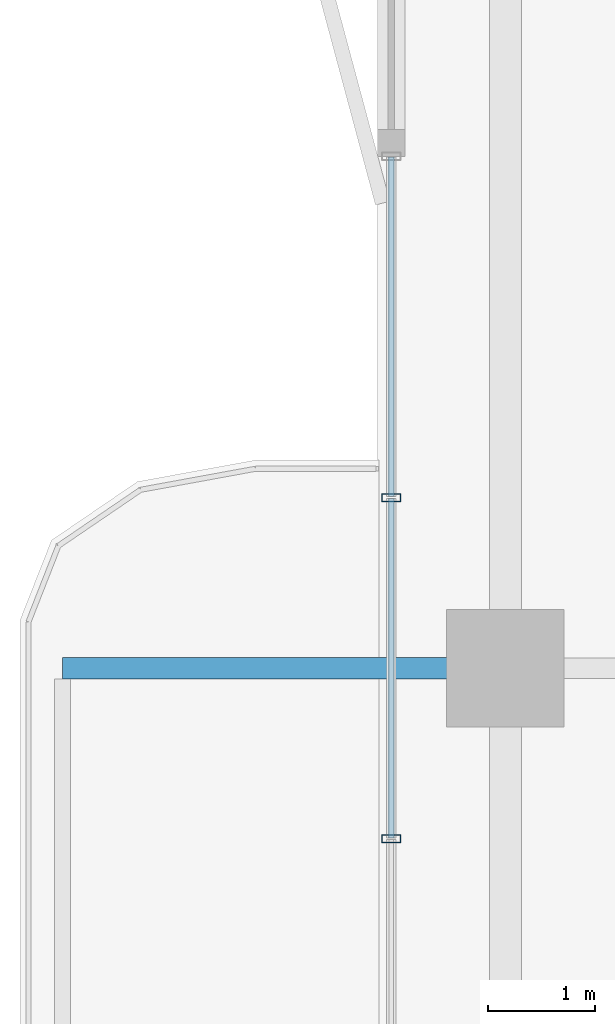
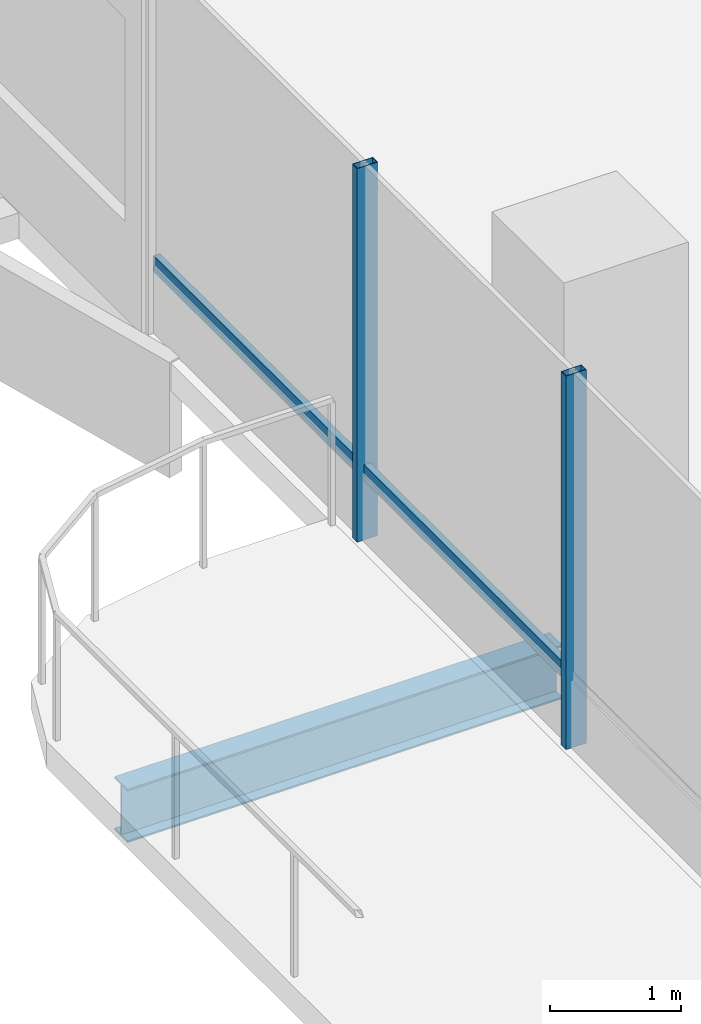
# One storey, part 6 of 23: 4 members, 1 beam, 1 element without a shape of its own.
"""IFC4 building model written with IfcOpenShell, lengths in metres."""

import ifcopenshell
import ifcopenshell.guid

model = None  # the IFC model being written
_history = None  # IfcOwnerHistory: only IFC2X3 demands one
_inside = {}  # id of a spatial element -> (the spatial element, [elements in it])
_under = {}  # id of a project, library or spatial element -> (it, [spatial elements below it])
_declared = {}  # id of a project -> (the project, [libraries it declares])
_typed = {}  # id of a type object -> (the type object, [elements of that type])
_made_of = {}  # id of a material, layer set ... -> (it, [elements and type objects made of it])


def new_model(schema):
    """Start an empty IFC model of exactly this schema.

    Asked for "IFC4X3", IfcOpenShell would pick the latest addendum, in which some entities
    have other attributes; the version numbers below select the first issue.
    IFC2X3 requires an IfcOwnerHistory on every rooted entity: one is made here for all.
    """
    global model, _history
    if schema == "IFC4X3":
        model = ifcopenshell.file(schema_version=(4, 3, 0, 0))
    else:
        model = ifcopenshell.file(schema=schema)
    _inside.clear()
    _under.clear()
    _declared.clear()
    _typed.clear()
    _made_of.clear()
    _history = None
    if model.schema == "IFC2X3":
        org = make("IfcOrganization", Name="unknown")
        user = make(
            "IfcPersonAndOrganization",
            ThePerson=make("IfcPerson", FamilyName="unknown"),
            TheOrganization=org,
        )
        app = make(
            "IfcApplication",
            ApplicationDeveloper=org,
            Version="unknown",
            ApplicationFullName="unknown",
            ApplicationIdentifier="unknown",
        )
        _history = make(
            "IfcOwnerHistory",
            OwningUser=user,
            OwningApplication=app,
            ChangeAction="ADDED",
            CreationDate=0,
        )
    return model


def make(cls, **values):
    """One entity of the class cls with the attributes given. An attribute that is None is left unset."""
    return model.create_entity(
        cls, **{name: value for name, value in values.items() if value is not None}
    )


def rooted(cls, **values):
    """An entity with a GlobalId (a new one), such as an element, a storey or a relation."""
    return make(cls, GlobalId=ifcopenshell.guid.new(), OwnerHistory=_history, **values)


def si_unit(unit_type, name, prefix=None):
    """IfcSIUnit, for example si_unit("LENGTHUNIT", "METRE", prefix="MILLI")."""
    return make("IfcSIUnit", UnitType=unit_type, Prefix=prefix, Name=name)


def assignment(units):
    """IfcUnitAssignment: the units of a project."""
    return None if units is None else make("IfcUnitAssignment", Units=units)


def point(xyz):
    """IfcCartesianPoint."""
    return None if xyz is None else make("IfcCartesianPoint", Coordinates=xyz)


def direction(xyz):
    """IfcDirection."""
    return None if xyz is None else make("IfcDirection", DirectionRatios=xyz)


def frame(location, z_axis=None, x_axis=None):
    """IfcAxis2Placement3D, a coordinate frame: its origin and axes. An axis left out is left unset."""
    return make(
        "IfcAxis2Placement3D",
        Location=point(location),
        Axis=direction(z_axis),
        RefDirection=direction(x_axis),
    )


def frame_2d(location, x_axis=None):
    """IfcAxis2Placement2D, a coordinate frame in the plane: its origin and x axis."""
    return make(
        "IfcAxis2Placement2D", Location=point(location), RefDirection=direction(x_axis)
    )


def origin():
    """The frame at (0, 0, 0) with its axes left unset."""
    return frame((0.0, 0.0, 0.0))


def origin_2d():
    """The frame at (0, 0) in the plane with its x axis left unset."""
    return frame_2d((0.0, 0.0))


def place(relative_to, where):
    """IfcLocalPlacement: puts the frame where relative to a parent placement (None: the world)."""
    return make(
        "IfcLocalPlacement", PlacementRelTo=relative_to, RelativePlacement=where
    )


def context(
    kind, dimensions, precision=None, world=None, true_north=None, identifier=None
):
    """IfcGeometricRepresentationContext, for example the 3D "Model" context."""
    return make(
        "IfcGeometricRepresentationContext",
        ContextIdentifier=identifier,
        ContextType=kind,
        CoordinateSpaceDimension=dimensions,
        Precision=precision,
        WorldCoordinateSystem=world,
        TrueNorth=true_north,
    )


def subcontext(parent, identifier, kind, view, scale=None):
    """IfcGeometricRepresentationSubContext, for example "Body" below "Model"."""
    return make(
        "IfcGeometricRepresentationSubContext",
        ContextIdentifier=identifier,
        ContextType=kind,
        ParentContext=parent,
        TargetScale=scale,
        TargetView=view,
    )


def project(units=None, contexts=None):
    """IfcProject with its units and contexts."""
    return rooted(
        "IfcProject",
        Name="project",
        RepresentationContexts=contexts,
        UnitsInContext=assignment(units),
    )


def spatial(cls, under=None, at=None, **own):
    """A site, building, storey or space (cls), placed at a placement, below another one or the project."""
    s = rooted(cls, ObjectPlacement=at, **own)
    if under is not None:
        _under.setdefault(under.id(), (under, []))[1].append(s)
    return s


def profile(cls, at=None, kind="AREA", **sizes):
    """A parametric profile (cls). Its sizes go by their IFC names, for example OverallWidth=200.0."""
    return make(cls, ProfileType=kind, Position=at, **sizes)


def hollow_rectangle(**sizes):
    """IfcRectangleHollowProfileDef."""
    return profile("IfcRectangleHollowProfileDef", **sizes)


def i_section(**sizes):
    """IfcIShapeProfileDef."""
    return profile("IfcIShapeProfileDef", **sizes)


def extrude(swept, where, along, depth):
    """IfcExtrudedAreaSolid: the profile swept, set in the frame where, extruded along a direction by depth."""
    return make(
        "IfcExtrudedAreaSolid",
        SweptArea=swept,
        Position=where,
        ExtrudedDirection=direction(along),
        Depth=depth,
    )


def shape(context_of_items, identifier, shape_type, items):
    """IfcShapeRepresentation: the items that make up one representation, for example the "Body"."""
    return make(
        "IfcShapeRepresentation",
        ContextOfItems=context_of_items,
        RepresentationIdentifier=identifier,
        RepresentationType=shape_type,
        Items=items,
    )


def material(Name=None, Category=None):
    """IfcMaterial."""
    return make("IfcMaterial", Name=Name, Category=Category)


def layer(
    of_material, thickness, ventilated=None, Name=None, Category=None, Priority=None
):
    """IfcMaterialLayer: one layer of a wall or slab, of a material (None: an air gap)."""
    return make(
        "IfcMaterialLayer",
        Material=of_material,
        LayerThickness=thickness,
        IsVentilated=ventilated,
        Name=Name,
        Category=Category,
        Priority=Priority,
    )


def layer_set(layers, Name=None):
    """IfcMaterialLayerSet."""
    return make("IfcMaterialLayerSet", MaterialLayers=layers, LayerSetName=Name)


def material_profile(
    of_material, cross_section, Name=None, Category=None, Priority=None
):
    """IfcMaterialProfile: a cross section and its material."""
    return make(
        "IfcMaterialProfile",
        Name=Name,
        Material=of_material,
        Profile=cross_section,
        Priority=Priority,
        Category=Category,
    )


def profile_set(profiles, Name=None, composite=None):
    """IfcMaterialProfileSet."""
    return make(
        "IfcMaterialProfileSet",
        Name=Name,
        MaterialProfiles=profiles,
        CompositeProfile=composite,
    )


def made_of(thing, what):
    """Note that an element or type object is made of a material, layer set ...; save() writes the relation."""
    if what is not None:
        _made_of.setdefault(what.id(), (what, []))[1].append(thing)
    return thing


def type_object(cls, material=None, **own):
    """A type object (cls), such as IfcWallType, which elements share."""
    return made_of(rooted(cls, **own), material)


def element(
    cls,
    number,
    at=None,
    inside=None,
    cuts=None,
    type_object=None,
    material=None,
    context=None,
    identifier="Body",
    shape_type=None,
    held_by="IfcProductDefinitionShape",
    body=None,
    shapes=None,
    **own,
):
    """One element of the class cls, such as IfcWall. Its Tag is "e" and its number.

    at: its placement. inside: the storey or other place that contains it. cuts: it is an
    opening in that element (IfcRelVoidsElement). A single representation is given by context,
    identifier, shape_type and body (its items); several are given by shapes. held_by: the class
    of the entity that holds the representations. save() writes the other relations.
    """
    e = rooted(cls, Tag="e%d" % number, ObjectPlacement=at, **own)
    if body is not None:
        shapes = [shape(context, identifier, shape_type, body)]
    if shapes is not None:
        e.Representation = make(held_by, Representations=shapes)
    if inside is not None:
        _inside.setdefault(inside.id(), (inside, []))[1].append(e)
    if cuts is not None:
        rooted(
            "IfcRelVoidsElement", RelatingBuildingElement=cuts, RelatedOpeningElement=e
        )
    if type_object is not None:
        _typed.setdefault(type_object.id(), (type_object, []))[1].append(e)
    return made_of(e, material)


def aggregate(whole, parts):
    """IfcRelAggregates: a whole, such as a stair, and the parts it consists of."""
    return rooted("IfcRelAggregates", RelatingObject=whole, RelatedObjects=parts)


def save(model, path):
    """Write the relations noted so far, then the file.

    IfcRelAggregates (storeys below a building ...), IfcRelContainedInSpatialStructure (elements
    in a storey), IfcRelDefinesByType, IfcRelAssociatesMaterial and IfcRelDeclares: one each for
    every whole, place, type object, material and project.
    """
    for whole, parts in _under.values():
        aggregate(whole, parts)
    for where, things in _inside.values():
        rooted(
            "IfcRelContainedInSpatialStructure",
            RelatedElements=things,
            RelatingStructure=where,
        )
    for kind, things in _typed.values():
        rooted("IfcRelDefinesByType", RelatedObjects=things, RelatingType=kind)
    for what, things in _made_of.values():
        rooted("IfcRelAssociatesMaterial", RelatedObjects=things, RelatingMaterial=what)
    for by, libraries in _declared.values():
        rooted("IfcRelDeclares", RelatingContext=by, RelatedDefinitions=libraries)
    model.write(path)


model = new_model("IFC4")

# Units and contexts
model_context = context("Model", 3, precision=1e-05, world=origin(), true_north=direction((0.0, 1.0)))
body_context = subcontext(model_context, "Body", "Model", "MODEL_VIEW")
ifc_project = project(units=[si_unit("LENGTHUNIT", "METRE"), si_unit("AREAUNIT", "SQUARE_METRE"), si_unit("VOLUMEUNIT", "CUBIC_METRE"), si_unit("PLANEANGLEUNIT", "RADIAN"), si_unit("MASSUNIT", "GRAM", prefix="KILO")], contexts=[model_context])

# Site, building, storey
site_placement = place(None, origin())
site = spatial("IfcSite", under=ifc_project, at=site_placement, CompositionType="ELEMENT")
building_placement = place(site_placement, origin())
building = spatial("IfcBuilding", under=site, at=building_placement, Name="Belovzor Exchange Tower", CompositionType="ELEMENT")
storey_placement = place(building_placement, frame((0.0, 0.0, 157.050048828125)))
storey = spatial("IfcBuildingStorey", under=building, at=storey_placement, Name="L38", CompositionType="ELEMENT", Elevation=157.050048828125)

# Beam
ifc_material_1 = material(Name="Steel S355", Category="steel")
ifc_material_profile_1 = material_profile(ifc_material_1, i_section(OverallWidth=0.199951171875, OverallDepth=0.5, WebThickness=0.01025390625, FlangeThickness=0.01611328125, at=origin_2d()))
ifc_profile_set_1 = profile_set([ifc_material_profile_1], Name="Steel S355")
beam_type = type_object("IfcBeamType", Name="Planted Balcony Cantilever Beam IPE 500", PredefinedType="BEAM", material=ifc_profile_set_1)
beam_placement = place(storey_placement, frame((5.39697265625, 28.800048828125, -0.505126953125), z_axis=(-1.0, 0.0, 0.0), x_axis=(0.0, -1.0, 0.0)))
element("IfcBeam", 1, at=beam_placement, inside=storey, type_object=beam_type, Name="BC-500 Planted Balcony Cantilever Beam IPE 500", PredefinedType="BEAM", context=body_context, shape_type="SweptSolid", body=[
    extrude(i_section(OverallWidth=0.199951171875, OverallDepth=0.5, WebThickness=0.01025390625, FlangeThickness=0.01611328125, at=origin_2d()), origin(), (0.0, 0.0, 1.0), 3.849853515625),
])

# Curtain wall, members
ifc_material_2 = material(Name="Anodised Aluminium Framing", Category="aluminium")
ifc_layer = layer(ifc_material_2, 0.179931640625)
ifc_layer_set = layer_set([ifc_layer], Name="Anodised Aluminium Framing")
curtain_wall_type = type_object("IfcCurtainWallType", Name="Recessed Loggia Low-Iron Triple-Glazed Curtain Wall", PredefinedType="NOTDEFINED", material=ifc_layer_set)
curtain_wall_placement = place(storey_placement, origin())
curtain_wall = element("IfcCurtainWall", 2, at=curtain_wall_placement, inside=storey, type_object=curtain_wall_type, Name="CW3 Recessed Loggia Low-Iron Triple-Glazed Curtain Wall L38", PredefinedType="NOTDEFINED")
ifc_material_3 = material(Name="Steel S355", Category="steel")
ifc_material_profile_2 = material_profile(ifc_material_3, hollow_rectangle(XDim=0.074951171875, YDim=0.179931640625, WallThickness=0.0048828125, at=origin_2d()))
ifc_profile_set_2 = profile_set([ifc_material_profile_2], Name="Steel S355")
member_type_1 = type_object("IfcMemberType", Name="Thermally Broken Curtain Wall Mullion 180x75", PredefinedType="MULLION", material=ifc_profile_set_2)
member_1_placement = place(storey_placement, frame((4.6298828125, 27.199951171875, 0.0), z_axis=(0.0, 0.0, 1.0), x_axis=(0.0, 1.0, 0.0)))
member_1 = element("IfcMember", 3, at=member_1_placement, type_object=member_type_1, Name="CW-M180 Curtain Wall Mullion 2", PredefinedType="MULLION", context=body_context, shape_type="SweptSolid", body=[
    extrude(hollow_rectangle(XDim=0.074951171875, YDim=0.179931640625, WallThickness=0.0048828125, at=origin_2d()), origin(), (0.0, 0.0, 1.0), 3.494873046875),
])
member_2_placement = place(storey_placement, frame((4.6298828125, 30.39990234375, 0.0), z_axis=(0.0, 0.0, 1.0), x_axis=(0.0, 1.0, 0.0)))
member_2 = element("IfcMember", 4, at=member_2_placement, type_object=member_type_1, Name="CW-M180 Curtain Wall Mullion 3", PredefinedType="MULLION", context=body_context, shape_type="SweptSolid", body=[
    extrude(hollow_rectangle(XDim=0.074951171875, YDim=0.179931640625, WallThickness=0.0048828125, at=origin_2d()), origin(), (0.0, 0.0, 1.0), 3.494873046875),
])
ifc_material_4 = material(Name="Steel S355", Category="steel")
ifc_material_profile_3 = material_profile(ifc_material_4, hollow_rectangle(XDim=0.06005859375, YDim=0.14990234375, WallThickness=0.00390625, at=origin_2d()))
ifc_profile_set_3 = profile_set([ifc_material_profile_3], Name="Steel S355")
member_type_2 = type_object("IfcMemberType", Name="Thermally Broken Curtain Wall Transom 150x60", PredefinedType="USERDEFINED", material=ifc_profile_set_3)
member_3_placement = place(storey_placement, frame((4.6298828125, 27.2080078125, 0.62890625), z_axis=(0.0, 1.0, 0.0), x_axis=(-1.0, 0.0, 0.0)))
member_3 = element("IfcMember", 5, at=member_3_placement, type_object=member_type_2, Name="CW-T150 Curtain Wall Transom 2", ObjectType="TRANSOM", PredefinedType="USERDEFINED", context=body_context, shape_type="SweptSolid", body=[
    extrude(hollow_rectangle(XDim=0.06005859375, YDim=0.14990234375, WallThickness=0.00390625, at=origin_2d()), origin(), (0.0, 0.0, 1.0), 3.18408203125),
])
member_4_placement = place(storey_placement, frame((4.6298828125, 30.407958984375, 0.62890625), z_axis=(0.0, 1.0, 0.0), x_axis=(-1.0, 0.0, 0.0)))
member_4 = element("IfcMember", 6, at=member_4_placement, type_object=member_type_2, Name="CW-T150 Curtain Wall Transom 3", ObjectType="TRANSOM", PredefinedType="USERDEFINED", context=body_context, shape_type="SweptSolid", body=[
    extrude(hollow_rectangle(XDim=0.06005859375, YDim=0.14990234375, WallThickness=0.00390625, at=origin_2d()), origin(), (0.0, 0.0, 1.0), 3.18408203125),
])
aggregate(curtain_wall, [member_1, member_2, member_3, member_4])

save(model, "model.ifc")
